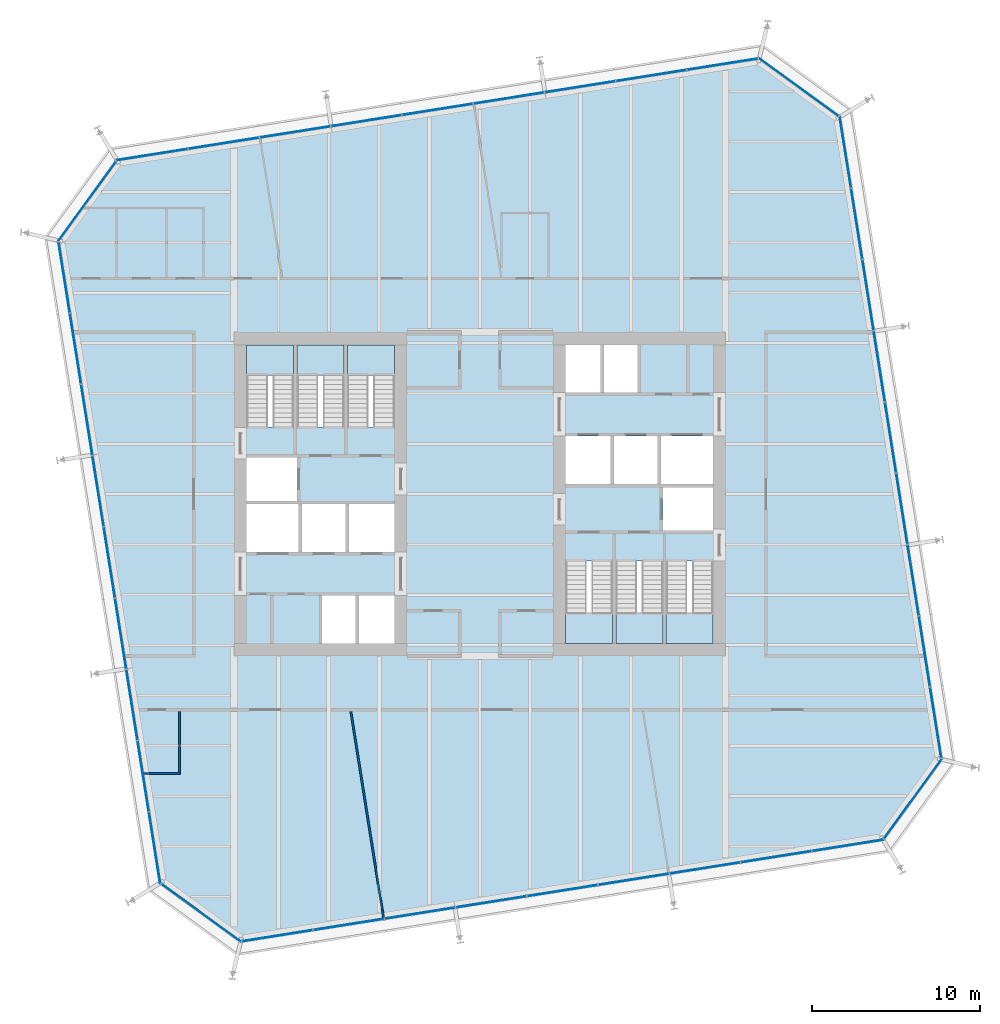
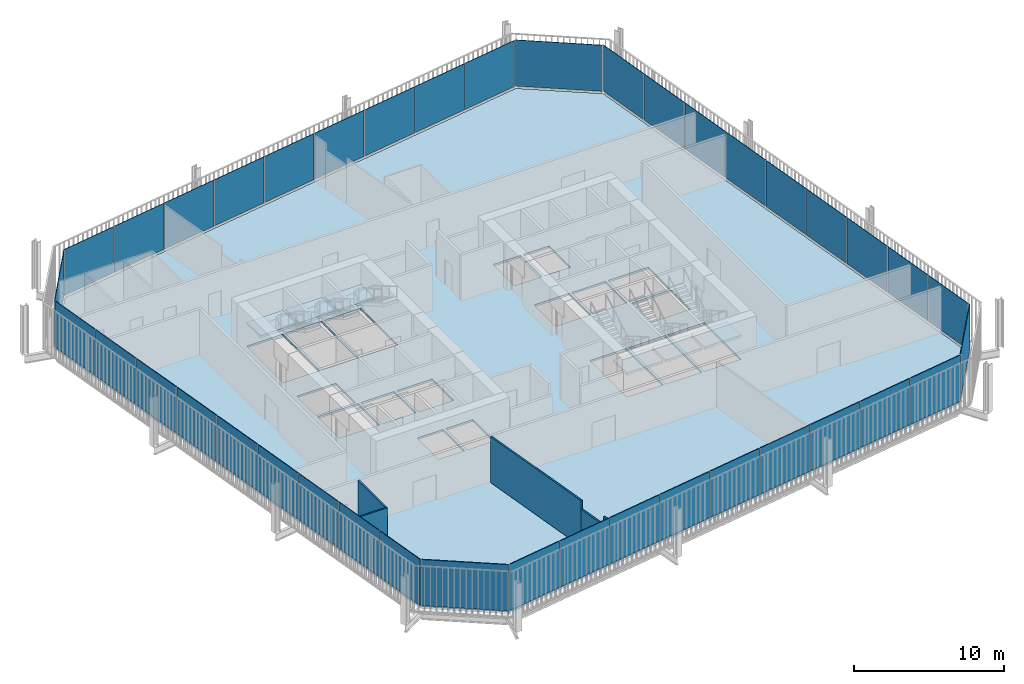
# One storey, part 16 of 21: 40 plates, 7 slabs, 5 walls, 14 elements without a shape of their own.
"""IFC4 building model written with IfcOpenShell, lengths in metres."""

from ifc_helpers import new_model, si_unit, direction, frame, frame_2d, origin, place, context, subcontext, project, spatial, polyline, rectangle, outline, extrude, material, layer, layer_set, type_object, element, aggregate, save


model = new_model("IFC4")

# Units and contexts
model_context = context("Model", 3, precision=1e-05, world=origin(), true_north=direction((0.0, 1.0)))
body_context = subcontext(model_context, "Body", "Model", "MODEL_VIEW")
ifc_project = project(units=[si_unit("LENGTHUNIT", "METRE"), si_unit("AREAUNIT", "SQUARE_METRE"), si_unit("VOLUMEUNIT", "CUBIC_METRE"), si_unit("PLANEANGLEUNIT", "RADIAN"), si_unit("MASSUNIT", "GRAM", prefix="KILO")], contexts=[model_context])

# Site, building, storey
site_placement = place(None, origin())
site = spatial("IfcSite", under=ifc_project, at=site_placement, CompositionType="ELEMENT")
building_placement = place(site_placement, origin())
building = spatial("IfcBuilding", under=site, at=building_placement, Name="Millrace Tower", CompositionType="ELEMENT")
storey_placement = place(building_placement, frame((0.0, 0.0, 133.39990234375)))
storey = spatial("IfcBuildingStorey", under=building, at=storey_placement, Name="L29", CompositionType="ELEMENT", Elevation=133.39990234375)

# Curtain wall, plate
ifc_material_1 = material(Name="Aluminium and glass", Category="aluminium")
ifc_layer_1 = layer(ifc_material_1, 0.14990234375)
ifc_layer_set_1 = layer_set([ifc_layer_1], Name="Aluminium and glass")
curtain_wall_type = type_object("IfcCurtainWallType", Name="CW-1 office vision curtain wall", PredefinedType="NOTDEFINED", material=ifc_layer_set_1)
placement_1 = place(storey_placement, origin())
curtain_wall_1 = element("IfcCurtainWall", 1, at=placement_1, inside=storey, type_object=curtain_wall_type, Name="Curtain wall C-F01 L29", PredefinedType="NOTDEFINED")
ifc_material_2 = material(Name="Glass", Category="glass")
ifc_layer_2 = layer(ifc_material_2, 0.0439453125)
ifc_layer_set_2 = layer_set([ifc_layer_2], Name="Glass")
plate_type = type_object("IfcPlateType", Name="CW-1 office vision curtain wall triple-glazed vision panel", PredefinedType="CURTAIN_PANEL", material=ifc_layer_set_2)
placement_2 = place(storey_placement, frame((0.0, 0.0, 0.14013671875)))
plate_1 = element("IfcPlate", 2, at=placement_2, type_object=plate_type, Name="CW1 panel C-F01.1", PredefinedType="CURTAIN_PANEL", context=body_context, shape_type="SweptSolid", body=[
    extrude(outline(polyline([(-18.988037109375, -23.254638671875), (-14.260009765625, -26.689697265625), (-14.2490234375, -26.6435546875), (-18.962158203125, -23.218994140625), (-18.988037109375, -23.254638671875)])), origin(), (0.0, 0.0, 1.0), 3.760009765625),
])
aggregate(curtain_wall_1, [plate_1])

# Curtain wall, plates
curtain_wall_2 = element("IfcCurtainWall", 3, at=placement_1, inside=storey, type_object=curtain_wall_type, Name="Curtain wall C-F02 L29", PredefinedType="NOTDEFINED")
plate_2 = element("IfcPlate", 4, at=placement_2, type_object=plate_type, Name="CW1 panel C-F02.1", PredefinedType="CURTAIN_PANEL", context=body_context, shape_type="SweptSolid", body=[
    extrude(outline(polyline([(-14.15625, -26.67333984375), (-9.973388671875, -26.0107421875), (-9.980224609375, -25.96728515625), (-14.1630859375, -26.6298828125), (-14.15625, -26.67333984375)])), origin(), (0.0, 0.0, 1.0), 3.760009765625),
])
plate_3 = element("IfcPlate", 5, at=placement_2, type_object=plate_type, Name="CW1 panel C-F02.2", PredefinedType="CURTAIN_PANEL", context=body_context, shape_type="SweptSolid", body=[
    extrude(outline(polyline([(-9.9091796875, -26.000732421875), (-5.726318359375, -25.338134765625), (-5.733154296875, -25.294677734375), (-9.916015625, -25.957275390625), (-9.9091796875, -26.000732421875)])), origin(), (0.0, 0.0, 1.0), 3.760009765625),
])
plate_4 = element("IfcPlate", 6, at=placement_2, type_object=plate_type, Name="CW1 panel C-F02.3", PredefinedType="CURTAIN_PANEL", context=body_context, shape_type="SweptSolid", body=[
    extrude(outline(polyline([(-5.662109375, -25.327880859375), (-1.479248046875, -24.66552734375), (-1.486083984375, -24.6220703125), (-5.6689453125, -25.284423828125), (-5.662109375, -25.327880859375)])), origin(), (0.0, 0.0, 1.0), 3.760009765625),
])
plate_5 = element("IfcPlate", 7, at=placement_2, type_object=plate_type, Name="CW1 panel C-F02.4", PredefinedType="CURTAIN_PANEL", context=body_context, shape_type="SweptSolid", body=[
    extrude(outline(polyline([(-1.4150390625, -24.6552734375), (2.767822265625, -23.992919921875), (2.760986328125, -23.949462890625), (-1.421875, -24.61181640625), (-1.4150390625, -24.6552734375)])), origin(), (0.0, 0.0, 1.0), 3.760009765625),
])
plate_6 = element("IfcPlate", 8, at=placement_2, type_object=plate_type, Name="CW1 panel C-F02.5", PredefinedType="CURTAIN_PANEL", context=body_context, shape_type="SweptSolid", body=[
    extrude(outline(polyline([(2.83203125, -23.982666015625), (7.014892578125, -23.320068359375), (7.008056640625, -23.276611328125), (2.8251953125, -23.939208984375), (2.83203125, -23.982666015625)])), origin(), (0.0, 0.0, 1.0), 3.760009765625),
])
plate_7 = element("IfcPlate", 9, at=placement_2, type_object=plate_type, Name="CW1 panel C-F02.6", PredefinedType="CURTAIN_PANEL", context=body_context, shape_type="SweptSolid", body=[
    extrude(outline(polyline([(7.0791015625, -23.31005859375), (11.261962890625, -22.6474609375), (11.255126953125, -22.60400390625), (7.072265625, -23.2666015625), (7.0791015625, -23.31005859375)])), origin(), (0.0, 0.0, 1.0), 3.760009765625),
])
plate_8 = element("IfcPlate", 10, at=placement_2, type_object=plate_type, Name="CW1 panel C-F02.7", PredefinedType="CURTAIN_PANEL", context=body_context, shape_type="SweptSolid", body=[
    extrude(outline(polyline([(11.326171875, -22.63720703125), (15.509033203125, -21.974853515625), (15.502197265625, -21.931396484375), (11.3193359375, -22.59375), (11.326171875, -22.63720703125)])), origin(), (0.0, 0.0, 1.0), 3.760009765625),
])
plate_9 = element("IfcPlate", 11, at=placement_2, type_object=plate_type, Name="CW1 panel C-F02.8", PredefinedType="CURTAIN_PANEL", context=body_context, shape_type="SweptSolid", body=[
    extrude(outline(polyline([(15.5732421875, -21.964599609375), (19.756103515625, -21.30224609375), (19.749267578125, -21.2587890625), (15.56640625, -21.921142578125), (15.5732421875, -21.964599609375)])), origin(), (0.0, 0.0, 1.0), 3.760009765625),
])
plate_10 = element("IfcPlate", 12, at=placement_2, type_object=plate_type, Name="CW1 panel C-F02.9", PredefinedType="CURTAIN_PANEL", context=body_context, shape_type="SweptSolid", body=[
    extrude(outline(polyline([(19.8203125, -21.2919921875), (24.042724609375, -20.623291015625), (24.01806640625, -20.58251953125), (19.8134765625, -21.24853515625), (19.8203125, -21.2919921875)])), origin(), (0.0, 0.0, 1.0), 3.760009765625),
])
aggregate(curtain_wall_2, [plate_2, plate_3, plate_4, plate_5, plate_6, plate_7, plate_8, plate_9, plate_10])

# Curtain wall, plate
curtain_wall_3 = element("IfcCurtainWall", 13, at=placement_1, inside=storey, type_object=curtain_wall_type, Name="Curtain wall C-F03 L29", PredefinedType="NOTDEFINED")
plate_11 = element("IfcPlate", 14, at=placement_2, type_object=plate_type, Name="CW1 panel C-F03.1", PredefinedType="CURTAIN_PANEL", context=body_context, shape_type="SweptSolid", body=[
    extrude(outline(polyline([(24.104736328125, -20.5380859375), (27.539794921875, -15.81005859375), (27.493408203125, -15.799072265625), (24.069091796875, -20.51220703125), (24.104736328125, -20.5380859375)])), origin(), (0.0, 0.0, 1.0), 3.760009765625),
])
aggregate(curtain_wall_3, [plate_11])

# Curtain wall, plates
curtain_wall_4 = element("IfcCurtainWall", 15, at=placement_1, inside=storey, type_object=curtain_wall_type, Name="Curtain wall C-F04 L29", PredefinedType="NOTDEFINED")
plate_12 = element("IfcPlate", 16, at=placement_2, type_object=plate_type, Name="CW1 panel C-F04.1", PredefinedType="CURTAIN_PANEL", context=body_context, shape_type="SweptSolid", body=[
    extrude(outline(polyline([(27.5234375, -15.706298828125), (26.86083984375, -11.5234375), (26.8173828125, -11.5302734375), (27.47998046875, -15.713134765625), (27.5234375, -15.706298828125)])), origin(), (0.0, 0.0, 1.0), 3.760009765625),
])
plate_13 = element("IfcPlate", 17, at=placement_2, type_object=plate_type, Name="CW1 panel C-F04.2", PredefinedType="CURTAIN_PANEL", context=body_context, shape_type="SweptSolid", body=[
    extrude(outline(polyline([(26.8505859375, -11.459228515625), (26.188232421875, -7.2763671875), (26.144775390625, -7.283203125), (26.80712890625, -11.466064453125), (26.8505859375, -11.459228515625)])), origin(), (0.0, 0.0, 1.0), 3.760009765625),
])
plate_14 = element("IfcPlate", 18, at=placement_2, type_object=plate_type, Name="CW1 panel C-F04.3", PredefinedType="CURTAIN_PANEL", context=body_context, shape_type="SweptSolid", body=[
    extrude(outline(polyline([(26.177978515625, -7.212158203125), (25.515380859375, -3.029296875), (25.471923828125, -3.0361328125), (26.134521484375, -7.218994140625), (26.177978515625, -7.212158203125)])), origin(), (0.0, 0.0, 1.0), 3.760009765625),
])
plate_15 = element("IfcPlate", 19, at=placement_2, type_object=plate_type, Name="CW1 panel C-F04.4", PredefinedType="CURTAIN_PANEL", context=body_context, shape_type="SweptSolid", body=[
    extrude(outline(polyline([(25.50537109375, -2.965087890625), (24.8427734375, 1.2177734375), (24.79931640625, 1.2109375), (25.4619140625, -2.971923828125), (25.50537109375, -2.965087890625)])), origin(), (0.0, 0.0, 1.0), 3.760009765625),
])
plate_16 = element("IfcPlate", 20, at=placement_2, type_object=plate_type, Name="CW1 panel C-F04.5", PredefinedType="CURTAIN_PANEL", context=body_context, shape_type="SweptSolid", body=[
    extrude(outline(polyline([(24.832763671875, 1.281982421875), (24.170166015625, 5.46484375), (24.126708984375, 5.4580078125), (24.789306640625, 1.275146484375), (24.832763671875, 1.281982421875)])), origin(), (0.0, 0.0, 1.0), 3.760009765625),
])
plate_17 = element("IfcPlate", 21, at=placement_2, type_object=plate_type, Name="CW1 panel C-F04.6", PredefinedType="CURTAIN_PANEL", context=body_context, shape_type="SweptSolid", body=[
    extrude(outline(polyline([(24.159912109375, 5.529052734375), (23.49755859375, 9.7119140625), (23.4541015625, 9.705078125), (24.116455078125, 5.522216796875), (24.159912109375, 5.529052734375)])), origin(), (0.0, 0.0, 1.0), 3.760009765625),
])
plate_18 = element("IfcPlate", 22, at=placement_2, type_object=plate_type, Name="CW1 panel C-F04.7", PredefinedType="CURTAIN_PANEL", context=body_context, shape_type="SweptSolid", body=[
    extrude(outline(polyline([(23.4873046875, 9.776123046875), (22.82470703125, 13.958984375), (22.78125, 13.9521484375), (23.44384765625, 9.769287109375), (23.4873046875, 9.776123046875)])), origin(), (0.0, 0.0, 1.0), 3.760009765625),
])
plate_19 = element("IfcPlate", 23, at=placement_2, type_object=plate_type, Name="CW1 panel C-F04.8", PredefinedType="CURTAIN_PANEL", context=body_context, shape_type="SweptSolid", body=[
    extrude(outline(polyline([(22.814697265625, 14.023193359375), (22.152099609375, 18.2060546875), (22.108642578125, 18.19921875), (22.771240234375, 14.016357421875), (22.814697265625, 14.023193359375)])), origin(), (0.0, 0.0, 1.0), 3.760009765625),
])
plate_20 = element("IfcPlate", 24, at=placement_2, type_object=plate_type, Name="CW1 panel C-F04.9", PredefinedType="CURTAIN_PANEL", context=body_context, shape_type="SweptSolid", body=[
    extrude(outline(polyline([(22.14208984375, 18.270263671875), (21.47314453125, 22.492919921875), (21.4326171875, 22.468017578125), (22.0986328125, 18.263427734375), (22.14208984375, 18.270263671875)])), origin(), (0.0, 0.0, 1.0), 3.760009765625),
])
aggregate(curtain_wall_4, [plate_12, plate_13, plate_14, plate_15, plate_16, plate_17, plate_18, plate_19, plate_20])

# Curtain wall, plate
curtain_wall_5 = element("IfcCurtainWall", 25, at=placement_1, inside=storey, type_object=curtain_wall_type, Name="Curtain wall C-F05 L29", PredefinedType="NOTDEFINED")
plate_21 = element("IfcPlate", 26, at=placement_2, type_object=plate_type, Name="CW1 panel C-F05.1", PredefinedType="CURTAIN_PANEL", context=body_context, shape_type="SweptSolid", body=[
    extrude(outline(polyline([(21.38818359375, 22.5546875), (16.66015625, 25.98974609375), (16.64892578125, 25.943359375), (21.3623046875, 22.51904296875), (21.38818359375, 22.5546875)])), origin(), (0.0, 0.0, 1.0), 3.760009765625),
])
aggregate(curtain_wall_5, [plate_21])

# Curtain wall, plates
curtain_wall_6 = element("IfcCurtainWall", 27, at=placement_1, inside=storey, type_object=curtain_wall_type, Name="Curtain wall C-F06 L29", PredefinedType="NOTDEFINED")
plate_22 = element("IfcPlate", 28, at=placement_2, type_object=plate_type, Name="CW1 panel C-F06.1", PredefinedType="CURTAIN_PANEL", context=body_context, shape_type="SweptSolid", body=[
    extrude(outline(polyline([(16.55615234375, 25.973388671875), (12.373291015625, 25.310791015625), (12.380126953125, 25.267333984375), (16.56298828125, 25.929931640625), (16.55615234375, 25.973388671875)])), origin(), (0.0, 0.0, 1.0), 3.760009765625),
])
plate_23 = element("IfcPlate", 29, at=placement_2, type_object=plate_type, Name="CW1 panel C-F06.2", PredefinedType="CURTAIN_PANEL", context=body_context, shape_type="SweptSolid", body=[
    extrude(outline(polyline([(12.30908203125, 25.300537109375), (8.126220703125, 24.63818359375), (8.133056640625, 24.5947265625), (12.31591796875, 25.257080078125), (12.30908203125, 25.300537109375)])), origin(), (0.0, 0.0, 1.0), 3.760009765625),
])
plate_24 = element("IfcPlate", 30, at=placement_2, type_object=plate_type, Name="CW1 panel C-F06.3", PredefinedType="CURTAIN_PANEL", context=body_context, shape_type="SweptSolid", body=[
    extrude(outline(polyline([(8.06201171875, 24.6279296875), (3.879150390625, 23.965576171875), (3.885986328125, 23.922119140625), (8.06884765625, 24.58447265625), (8.06201171875, 24.6279296875)])), origin(), (0.0, 0.0, 1.0), 3.760009765625),
])
plate_25 = element("IfcPlate", 31, at=placement_2, type_object=plate_type, Name="CW1 panel C-F06.4", PredefinedType="CURTAIN_PANEL", context=body_context, shape_type="SweptSolid", body=[
    extrude(outline(polyline([(3.81494140625, 23.955322265625), (-0.367919921875, 23.292724609375), (-0.361083984375, 23.249267578125), (3.82177734375, 23.911865234375), (3.81494140625, 23.955322265625)])), origin(), (0.0, 0.0, 1.0), 3.760009765625),
])
plate_26 = element("IfcPlate", 32, at=placement_2, type_object=plate_type, Name="CW1 panel C-F06.5", PredefinedType="CURTAIN_PANEL", context=body_context, shape_type="SweptSolid", body=[
    extrude(outline(polyline([(-0.43212890625, 23.28271484375), (-4.614990234375, 22.6201171875), (-4.60791015625, 22.57666015625), (-0.42529296875, 23.2392578125), (-0.43212890625, 23.28271484375)])), origin(), (0.0, 0.0, 1.0), 3.760009765625),
])
plate_27 = element("IfcPlate", 33, at=placement_2, type_object=plate_type, Name="CW1 panel C-F06.6", PredefinedType="CURTAIN_PANEL", context=body_context, shape_type="SweptSolid", body=[
    extrude(outline(polyline([(-4.67919921875, 22.60986328125), (-8.862060546875, 21.947509765625), (-8.85498046875, 21.904052734375), (-4.672119140625, 22.56640625), (-4.67919921875, 22.60986328125)])), origin(), (0.0, 0.0, 1.0), 3.760009765625),
])
plate_28 = element("IfcPlate", 34, at=placement_2, type_object=plate_type, Name="CW1 panel C-F06.7", PredefinedType="CURTAIN_PANEL", context=body_context, shape_type="SweptSolid", body=[
    extrude(outline(polyline([(-8.92626953125, 21.937255859375), (-13.109130859375, 21.27490234375), (-13.10205078125, 21.2314453125), (-8.919189453125, 21.893798828125), (-8.92626953125, 21.937255859375)])), origin(), (0.0, 0.0, 1.0), 3.760009765625),
])
plate_29 = element("IfcPlate", 35, at=placement_2, type_object=plate_type, Name="CW1 panel C-F06.8", PredefinedType="CURTAIN_PANEL", context=body_context, shape_type="SweptSolid", body=[
    extrude(outline(polyline([(-13.17333984375, 21.2646484375), (-17.356201171875, 20.60205078125), (-17.34912109375, 20.55859375), (-13.166259765625, 21.22119140625), (-13.17333984375, 21.2646484375)])), origin(), (0.0, 0.0, 1.0), 3.760009765625),
])
plate_30 = element("IfcPlate", 36, at=placement_2, type_object=plate_type, Name="CW1 panel C-F06.9", PredefinedType="CURTAIN_PANEL", context=body_context, shape_type="SweptSolid", body=[
    extrude(outline(polyline([(-17.42041015625, 20.592041015625), (-21.642822265625, 19.923095703125), (-21.617919921875, 19.882568359375), (-17.413330078125, 20.548583984375), (-17.42041015625, 20.592041015625)])), origin(), (0.0, 0.0, 1.0), 3.760009765625),
])
aggregate(curtain_wall_6, [plate_22, plate_23, plate_24, plate_25, plate_26, plate_27, plate_28, plate_29, plate_30])

# Curtain wall, plate
curtain_wall_7 = element("IfcCurtainWall", 37, at=placement_1, inside=storey, type_object=curtain_wall_type, Name="Curtain wall C-F07 L29", PredefinedType="NOTDEFINED")
plate_31 = element("IfcPlate", 38, at=placement_2, type_object=plate_type, Name="CW1 panel C-F07.1", PredefinedType="CURTAIN_PANEL", context=body_context, shape_type="SweptSolid", body=[
    extrude(outline(polyline([(-21.70458984375, 19.838134765625), (-25.139892578125, 15.110107421875), (-25.093505859375, 15.098876953125), (-21.6689453125, 19.812255859375), (-21.70458984375, 19.838134765625)])), origin(), (0.0, 0.0, 1.0), 3.760009765625),
])
aggregate(curtain_wall_7, [plate_31])

# Curtain wall, plates
curtain_wall_8 = element("IfcCurtainWall", 39, at=placement_1, inside=storey, type_object=curtain_wall_type, Name="Curtain wall C-F08 L29", PredefinedType="NOTDEFINED")
plate_32 = element("IfcPlate", 40, at=placement_2, type_object=plate_type, Name="CW1 panel C-F08.1", PredefinedType="CURTAIN_PANEL", context=body_context, shape_type="SweptSolid", body=[
    extrude(outline(polyline([(-25.123291015625, 15.006103515625), (-24.4609375, 10.8232421875), (-24.41748046875, 10.830322265625), (-25.079833984375, 15.01318359375), (-25.123291015625, 15.006103515625)])), origin(), (0.0, 0.0, 1.0), 3.760009765625),
])
plate_33 = element("IfcPlate", 41, at=placement_2, type_object=plate_type, Name="CW1 panel C-F08.2", PredefinedType="CURTAIN_PANEL", context=body_context, shape_type="SweptSolid", body=[
    extrude(outline(polyline([(-24.45068359375, 10.759033203125), (-23.7880859375, 6.576171875), (-23.74462890625, 6.583251953125), (-24.4072265625, 10.76611328125), (-24.45068359375, 10.759033203125)])), origin(), (0.0, 0.0, 1.0), 3.760009765625),
])
plate_34 = element("IfcPlate", 42, at=placement_2, type_object=plate_type, Name="CW1 panel C-F08.3", PredefinedType="CURTAIN_PANEL", context=body_context, shape_type="SweptSolid", body=[
    extrude(outline(polyline([(-23.778076171875, 6.511962890625), (-23.115478515625, 2.3291015625), (-23.072021484375, 2.336181640625), (-23.734619140625, 6.51904296875), (-23.778076171875, 6.511962890625)])), origin(), (0.0, 0.0, 1.0), 3.760009765625),
])
plate_35 = element("IfcPlate", 43, at=placement_2, type_object=plate_type, Name="CW1 panel C-F08.4", PredefinedType="CURTAIN_PANEL", context=body_context, shape_type="SweptSolid", body=[
    extrude(outline(polyline([(-23.105224609375, 2.264892578125), (-22.44287109375, -1.91796875), (-22.3994140625, -1.910888671875), (-23.061767578125, 2.27197265625), (-23.105224609375, 2.264892578125)])), origin(), (0.0, 0.0, 1.0), 3.760009765625),
])
plate_36 = element("IfcPlate", 44, at=placement_2, type_object=plate_type, Name="CW1 panel C-F08.5", PredefinedType="CURTAIN_PANEL", context=body_context, shape_type="SweptSolid", body=[
    extrude(outline(polyline([(-22.4326171875, -1.98193359375), (-21.770263671875, -6.164794921875), (-21.726806640625, -6.157958984375), (-22.38916015625, -1.97509765625), (-22.4326171875, -1.98193359375)])), origin(), (0.0, 0.0, 1.0), 3.760009765625),
])
plate_37 = element("IfcPlate", 45, at=placement_2, type_object=plate_type, Name="CW1 panel C-F08.6", PredefinedType="CURTAIN_PANEL", context=body_context, shape_type="SweptSolid", body=[
    extrude(outline(polyline([(-21.760009765625, -6.22900390625), (-21.097412109375, -10.411865234375), (-21.053955078125, -10.405029296875), (-21.716552734375, -6.22216796875), (-21.760009765625, -6.22900390625)])), origin(), (0.0, 0.0, 1.0), 3.760009765625),
])
plate_38 = element("IfcPlate", 46, at=placement_2, type_object=plate_type, Name="CW1 panel C-F08.7", PredefinedType="CURTAIN_PANEL", context=body_context, shape_type="SweptSolid", body=[
    extrude(outline(polyline([(-21.08740234375, -10.47607421875), (-20.4248046875, -14.658935546875), (-20.38134765625, -14.652099609375), (-21.0439453125, -10.46923828125), (-21.08740234375, -10.47607421875)])), origin(), (0.0, 0.0, 1.0), 3.760009765625),
])
plate_39 = element("IfcPlate", 47, at=placement_2, type_object=plate_type, Name="CW1 panel C-F08.8", PredefinedType="CURTAIN_PANEL", context=body_context, shape_type="SweptSolid", body=[
    extrude(outline(polyline([(-20.41455078125, -14.72314453125), (-19.752197265625, -18.906005859375), (-19.708740234375, -18.899169921875), (-20.37109375, -14.71630859375), (-20.41455078125, -14.72314453125)])), origin(), (0.0, 0.0, 1.0), 3.760009765625),
])
plate_40 = element("IfcPlate", 48, at=placement_2, type_object=plate_type, Name="CW1 panel C-F08.9", PredefinedType="CURTAIN_PANEL", context=body_context, shape_type="SweptSolid", body=[
    extrude(outline(polyline([(-19.741943359375, -18.97021484375), (-19.0732421875, -23.19287109375), (-19.032470703125, -23.16796875), (-19.698486328125, -18.96337890625), (-19.741943359375, -18.97021484375)])), origin(), (0.0, 0.0, 1.0), 3.760009765625),
])
aggregate(curtain_wall_8, [plate_32, plate_33, plate_34, plate_35, plate_36, plate_37, plate_38, plate_39, plate_40])

# Slab
ifc_material_3 = material(Name="Concrete C35 on steel deck", Category="concrete")
ifc_layer_3 = layer(ifc_material_3, 0.159912109375)
ifc_layer_set_3 = layer_set([ifc_layer_3], Name="Concrete C35 on steel deck")
slab_type_1 = type_object("IfcSlabType", Name="Composite floor slab 160 mm", PredefinedType="FLOOR", material=ifc_layer_set_3)
slab_1_placement = place(storey_placement, frame((0.0, 0.0, -0.159912109375)))
element("IfcSlab", 49, at=slab_1_placement, inside=storey, type_object=slab_type_1, Name="SL-C-L29-S1", PredefinedType="FLOOR", context=body_context, shape_type="SweptSolid", body=[
    extrude(outline(polyline([(-18.983642578125, -23.137939453125), (-14.235595703125, -26.587646484375), (23.988037109375, -20.53369140625), (27.437744140625, -15.78564453125), (21.3837890625, 22.43798828125), (16.635498046875, 25.8876953125), (-21.587890625, 19.833740234375), (-25.03759765625, 15.08544921875), (-18.983642578125, -23.137939453125)]), holes=[polyline([(-9.39990234375, -8.89990234375), (-7.39990234375, -8.89990234375), (-7.39990234375, -6.050048828125), (-9.39990234375, -6.050048828125), (-9.39990234375, -8.89990234375)]), polyline([(-7.199951171875, -8.89990234375), (-5.10009765625, -8.89990234375), (-5.10009765625, -6.050048828125), (-7.199951171875, -6.050048828125), (-7.199951171875, -8.89990234375)]), polyline([(-13.89990234375, -3.449951171875), (-10.800048828125, -3.449951171875), (-10.800048828125, -0.60009765625), (-13.89990234375, -0.60009765625), (-13.89990234375, -3.449951171875)]), polyline([(-10.60009765625, -3.449951171875), (-8.0, -3.449951171875), (-8.0, -0.60009765625), (-10.60009765625, -0.60009765625), (-10.60009765625, -3.449951171875)]), polyline([(-7.800048828125, -3.449951171875), (-5.10009765625, -3.449951171875), (-5.10009765625, -0.60009765625), (-7.800048828125, -0.60009765625), (-7.800048828125, -3.449951171875)]), polyline([(-13.89990234375, -0.39990234375), (-10.89990234375, -0.39990234375), (-10.89990234375, 2.179931640625), (-13.89990234375, 2.179931640625), (-13.89990234375, -0.39990234375)]), polyline([(-13.89990234375, 4.0), (-11.10009765625, 4.0), (-11.10009765625, 8.89990234375), (-13.89990234375, 8.89990234375), (-13.89990234375, 4.0)]), polyline([(-10.89990234375, 4.0), (-8.10009765625, 4.0), (-8.10009765625, 8.89990234375), (-10.89990234375, 8.89990234375), (-10.89990234375, 4.0)]), polyline([(-7.89990234375, 4.0), (-5.10009765625, 4.0), (-5.10009765625, 8.89990234375), (-7.89990234375, 8.89990234375), (-7.89990234375, 4.0)]), polyline([(7.39990234375, 6.050048828125), (9.39990234375, 6.050048828125), (9.39990234375, 8.89990234375), (7.39990234375, 8.89990234375), (7.39990234375, 6.050048828125)]), polyline([(5.10009765625, 6.050048828125), (7.199951171875, 6.050048828125), (7.199951171875, 8.89990234375), (5.10009765625, 8.89990234375), (5.10009765625, 6.050048828125)]), polyline([(10.800048828125, 0.60009765625), (13.89990234375, 0.60009765625), (13.89990234375, 3.449951171875), (10.800048828125, 3.449951171875), (10.800048828125, 0.60009765625)]), polyline([(8.0, 0.60009765625), (10.60009765625, 0.60009765625), (10.60009765625, 3.449951171875), (8.0, 3.449951171875), (8.0, 0.60009765625)]), polyline([(5.10009765625, 0.60009765625), (7.800048828125, 0.60009765625), (7.800048828125, 3.449951171875), (5.10009765625, 3.449951171875), (5.10009765625, 0.60009765625)]), polyline([(10.89990234375, -2.179931640625), (13.89990234375, -2.179931640625), (13.89990234375, 0.39990234375), (10.89990234375, 0.39990234375), (10.89990234375, -2.179931640625)]), polyline([(11.10009765625, -8.89990234375), (13.89990234375, -8.89990234375), (13.89990234375, -4.0), (11.10009765625, -4.0), (11.10009765625, -8.89990234375)]), polyline([(8.10009765625, -8.89990234375), (10.89990234375, -8.89990234375), (10.89990234375, -4.0), (8.10009765625, -4.0), (8.10009765625, -8.89990234375)]), polyline([(5.10009765625, -8.89990234375), (7.89990234375, -8.89990234375), (7.89990234375, -4.0), (5.10009765625, -4.0), (5.10009765625, -8.89990234375)])]), origin(), (0.0, 0.0, 1.0), 0.159912109375),
])

# Stair, slab
ifc_material_4 = material(Name="Concrete C35", Category="concrete")
stair_type = type_object("IfcStairType", Name="Exit stair", PredefinedType="HALF_TURN_STAIR", material=ifc_material_4)
stair_1 = element("IfcStair", 50, at=placement_1, inside=storey, type_object=stair_type, Name="Stair 1 W L29", PredefinedType="HALF_TURN_STAIR")
ifc_material_5 = material(Name="Concrete C40", Category="concrete")
ifc_layer_4 = layer(ifc_material_5, 0.199951171875)
ifc_layer_set_4 = layer_set([ifc_layer_4], Name="Concrete C40")
slab_type_2 = type_object("IfcSlabType", Name="Stair landing", PredefinedType="LANDING", material=ifc_layer_set_4)
placement_3 = place(storey_placement, frame((0.0, 0.0, 1.75)))
slab_2 = element("IfcSlab", 51, at=placement_3, type_object=slab_type_2, Name="ST12 landing 1", PredefinedType="LANDING", context=body_context, shape_type="SweptSolid", body=[
    extrude(outline(polyline([(-13.89990234375, 7.080078125), (-11.10009765625, 7.080078125), (-11.10009765625, 8.89990234375), (-13.89990234375, 8.89990234375), (-13.89990234375, 7.080078125)])), origin(), (0.0, 0.0, 1.0), 0.2001953125),
])
aggregate(stair_1, [slab_2])

stair_2 = element("IfcStair", 52, at=placement_1, inside=storey, type_object=stair_type, Name="Stair 2 W L29", PredefinedType="HALF_TURN_STAIR")
slab_3 = element("IfcSlab", 53, at=placement_3, type_object=slab_type_2, Name="ST12 landing 1", PredefinedType="LANDING", context=body_context, shape_type="SweptSolid", body=[
    extrude(outline(polyline([(-10.89990234375, 7.080078125), (-8.10009765625, 7.080078125), (-8.10009765625, 8.89990234375), (-10.89990234375, 8.89990234375), (-10.89990234375, 7.080078125)])), origin(), (0.0, 0.0, 1.0), 0.2001953125),
])
aggregate(stair_2, [slab_3])

stair_3 = element("IfcStair", 54, at=placement_1, inside=storey, type_object=stair_type, Name="Stair 3 W L29", PredefinedType="HALF_TURN_STAIR")
slab_4 = element("IfcSlab", 55, at=placement_3, type_object=slab_type_2, Name="ST12 landing 1", PredefinedType="LANDING", context=body_context, shape_type="SweptSolid", body=[
    extrude(outline(polyline([(-7.89990234375, 7.080078125), (-5.10009765625, 7.080078125), (-5.10009765625, 8.89990234375), (-7.89990234375, 8.89990234375), (-7.89990234375, 7.080078125)])), origin(), (0.0, 0.0, 1.0), 0.2001953125),
])
aggregate(stair_3, [slab_4])

stair_4 = element("IfcStair", 56, at=placement_1, inside=storey, type_object=stair_type, Name="Stair 1 E L29", PredefinedType="HALF_TURN_STAIR")
slab_5 = element("IfcSlab", 57, at=placement_3, type_object=slab_type_2, Name="ST12 landing 1", PredefinedType="LANDING", context=body_context, shape_type="SweptSolid", body=[
    extrude(outline(polyline([(11.10009765625, -8.89990234375), (13.89990234375, -8.89990234375), (13.89990234375, -7.080078125), (11.10009765625, -7.080078125), (11.10009765625, -8.89990234375)])), origin(), (0.0, 0.0, 1.0), 0.2001953125),
])
aggregate(stair_4, [slab_5])

stair_5 = element("IfcStair", 58, at=placement_1, inside=storey, type_object=stair_type, Name="Stair 2 E L29", PredefinedType="HALF_TURN_STAIR")
slab_6 = element("IfcSlab", 59, at=placement_3, type_object=slab_type_2, Name="ST12 landing 1", PredefinedType="LANDING", context=body_context, shape_type="SweptSolid", body=[
    extrude(outline(polyline([(8.10009765625, -8.89990234375), (10.89990234375, -8.89990234375), (10.89990234375, -7.080078125), (8.10009765625, -7.080078125), (8.10009765625, -8.89990234375)])), origin(), (0.0, 0.0, 1.0), 0.2001953125),
])
aggregate(stair_5, [slab_6])

stair_6 = element("IfcStair", 60, at=placement_1, inside=storey, type_object=stair_type, Name="Stair 3 E L29", PredefinedType="HALF_TURN_STAIR")
slab_7 = element("IfcSlab", 61, at=placement_3, type_object=slab_type_2, Name="ST12 landing 1", PredefinedType="LANDING", context=body_context, shape_type="SweptSolid", body=[
    extrude(outline(polyline([(5.10009765625, -8.89990234375), (7.89990234375, -8.89990234375), (7.89990234375, -7.080078125), (5.10009765625, -7.080078125), (5.10009765625, -8.89990234375)])), origin(), (0.0, 0.0, 1.0), 0.2001953125),
])
aggregate(stair_6, [slab_7])

# Walls
ifc_material_6 = material(Name="Gypsum board partition")
ifc_layer_5 = layer(ifc_material_6, 0.1201171875)
ifc_layer_set_5 = layer_set([ifc_layer_5], Name="Gypsum board partition")
wall_type = type_object("IfcWallType", Name="Partition wall 120", PredefinedType="PARTITIONING", material=ifc_layer_set_5)
wall_1_placement = place(storey_placement, frame((-7.68896484375, -12.948974609375, 0.0), z_axis=(0.0, 0.0, 1.0), x_axis=(0.156444573318, -0.987686739548, 0.0)))
element("IfcWall", 62, at=wall_1_placement, inside=storey, type_object=wall_type, Name="Partition wall L29", PredefinedType="PARTITIONING", context=body_context, shape_type="SweptSolid", body=[
    extrude(rectangle(XDim=9.597412109375, YDim=0.1201171875, at=frame_2d((4.798828125, 0.0))), origin(), (0.0, 0.0, 1.0), 3.739990234375),
])
wall_2_placement = place(storey_placement, frame((-6.1875, -22.42822265625, 0.0), z_axis=(0.0, 0.0, 1.0), x_axis=(0.156401777573, -0.987693517227, 0.0)))
element("IfcWall", 63, at=wall_2_placement, inside=storey, type_object=wall_type, Name="Partition wall L29", PredefinedType="PARTITIONING", context=body_context, shape_type="SweptSolid", body=[
    extrude(rectangle(XDim=2.397705078125, YDim=0.1201171875, at=frame_2d((1.19873046875, 0.0))), origin(), (0.0, 0.0, 1.0), 3.046630859375),
])
wall_3_placement = place(storey_placement, frame((-5.8125, -24.79638671875, 0.0), z_axis=(0.0, 0.0, 1.0), x_axis=(0.156665493816, -0.987651721533, 0.0)))
element("IfcWall", 64, at=wall_3_placement, inside=storey, type_object=wall_type, Name="Partition wall L29", PredefinedType="PARTITIONING", context=body_context, shape_type="SweptSolid", body=[
    extrude(rectangle(XDim=0.4814453125, YDim=0.1201171875, at=frame_2d((0.24072265625, 0.0))), origin(), (0.0, 0.0, 1.0), 3.739990234375),
])
wall_4_placement = place(storey_placement, frame((-20.041748046875, -16.64990234375, 0.0), z_axis=(0.0, 0.0, 1.0), x_axis=(1.0, 0.0, 0.0)))
element("IfcWall", 65, at=wall_4_placement, inside=storey, type_object=wall_type, Name="Partition wall L29", PredefinedType="PARTITIONING", context=body_context, shape_type="SweptSolid", body=[
    extrude(rectangle(XDim=2.208740234375, YDim=0.1201171875, at=frame_2d((1.1044921875, 0.0))), origin(), (0.0, 0.0, 1.0), 3.739990234375),
])
wall_5_placement = place(storey_placement, frame((-17.89306640625, -16.590087890625, 0.0), z_axis=(0.0, 0.0, 1.0), x_axis=(0.0, 1.0, 0.0)))
element("IfcWall", 66, at=wall_5_placement, inside=storey, type_object=wall_type, Name="Partition wall L29", PredefinedType="PARTITIONING", context=body_context, shape_type="SweptSolid", body=[
    extrude(rectangle(XDim=3.64013671875, YDim=0.1201171875, at=frame_2d((1.820068359375, 0.0))), origin(), (0.0, 0.0, 1.0), 3.739990234375),
])

save(model, "model.ifc")
